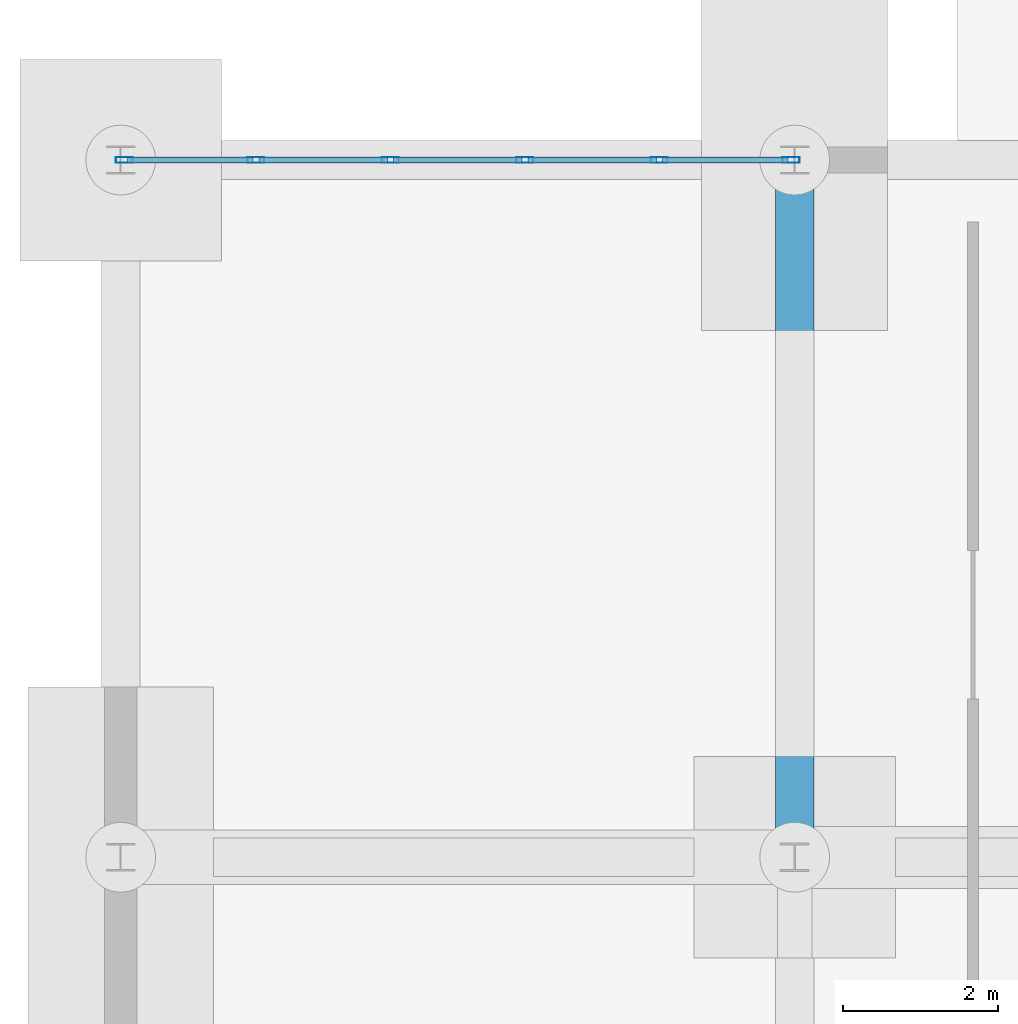
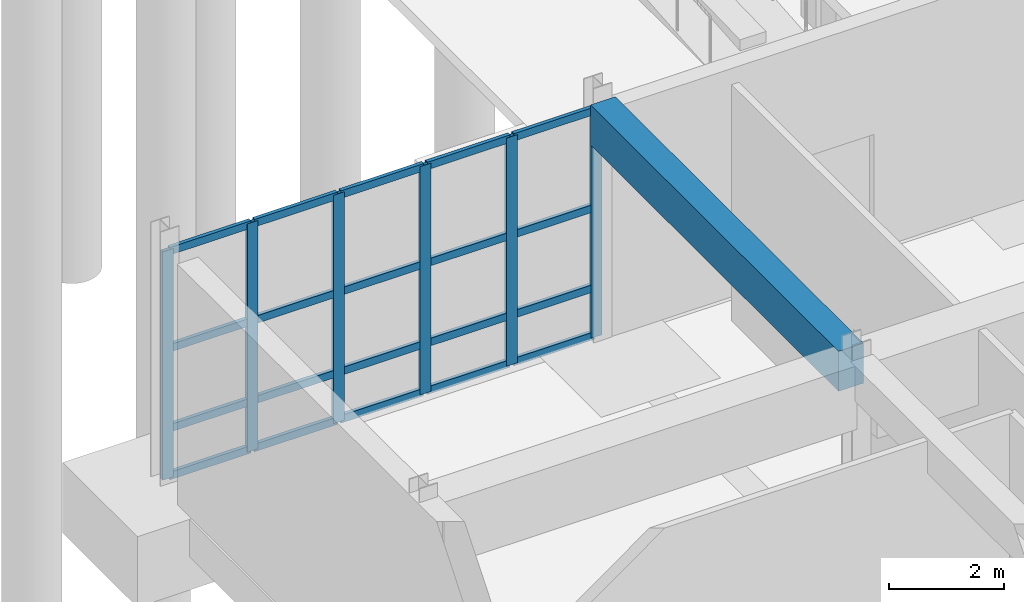
# One storey, part 16 of 69: 26 members, 1 beam, 1 element without a shape of its own.
"""IFC4 building model written with IfcOpenShell, lengths in metres."""

from ifc_helpers import new_model, si_unit, direction, frame, origin, origin_2d, place, context, subcontext, project, spatial, rectangle, hollow_rectangle, extrude, material, layer, layer_set, material_profile, profile_set, type_object, element, aggregate, save


model = new_model("IFC4")

# Units and contexts
model_context = context("Model", 3, precision=1e-05, world=origin(), true_north=direction((0.0, 1.0)))
body_context = subcontext(model_context, "Body", "Model", "MODEL_VIEW")
ifc_project = project(units=[si_unit("LENGTHUNIT", "METRE"), si_unit("AREAUNIT", "SQUARE_METRE"), si_unit("VOLUMEUNIT", "CUBIC_METRE"), si_unit("PLANEANGLEUNIT", "RADIAN"), si_unit("MASSUNIT", "GRAM", prefix="KILO")], contexts=[model_context])

# Site, building, storey
site_placement = place(None, origin())
site = spatial("IfcSite", under=ifc_project, at=site_placement, CompositionType="ELEMENT")
building_placement = place(site_placement, origin())
building = spatial("IfcBuilding", under=site, at=building_placement, Name="Vaelkrest Opera House", CompositionType="ELEMENT")
storey_placement = place(building_placement, frame((0.0, 0.0, -5.39990234375)))
storey = spatial("IfcBuildingStorey", under=building, at=storey_placement, Name="B1", CompositionType="ELEMENT", Elevation=-5.39990234375)

# Beam
ifc_material_1 = material(Name="Concrete C50/60", Category="concrete")
ifc_material_profile_1 = material_profile(ifc_material_1, rectangle(XDim=0.5, YDim=0.85009765625, at=origin_2d()), Name="RCB500X850")
ifc_profile_set_1 = profile_set([ifc_material_profile_1], Name="Concrete C50/60")
beam_type = type_object("IfcBeamType", Name="B03", PredefinedType="BEAM", material=ifc_profile_set_1)
beam_placement = place(storey_placement, frame((-77.699951171875, -46.614013671875, 4.65478515625), z_axis=(0.0, 1.0, 0.0), x_axis=(-1.0, 0.0, 0.0)))
element("IfcBeam", 1, at=beam_placement, inside=storey, type_object=beam_type, Name="Beam BM-V5-B1-2460", PredefinedType="BEAM", context=body_context, shape_type="SweptSolid", body=[
    extrude(rectangle(XDim=0.5, YDim=0.85009765625, at=origin_2d()), origin(), (0.0, 0.0, 1.0), 8.634033203125),
])

# Curtain wall, members
ifc_material_2 = material(Name="Dark bronze anodized aluminium", Category="aluminium")
ifc_layer = layer(ifc_material_2, 0.199951171875)
ifc_layer_set = layer_set([ifc_layer], Name="Dark bronze anodized aluminium")
curtain_wall_type = type_object("IfcCurtainWallType", Name="CW03", PredefinedType="NOTDEFINED", material=ifc_layer_set)
curtain_wall_placement = place(storey_placement, origin())
curtain_wall = element("IfcCurtainWall", 2, at=curtain_wall_placement, inside=storey, type_object=curtain_wall_type, Name="Curtain wall CW-B1-173", PredefinedType="NOTDEFINED")
ifc_material_profile_2 = material_profile(ifc_material_2, hollow_rectangle(XDim=0.074951171875, YDim=0.219970703125, WallThickness=0.00439453125, at=origin_2d()), Name="CWM75X220")
ifc_profile_set_2 = profile_set([ifc_material_profile_2], Name="Dark bronze anodized aluminium")
member_type_1 = type_object("IfcMemberType", Name="CWM03", PredefinedType="MULLION", material=ifc_profile_set_2)
member_1_placement = place(storey_placement, frame((-86.3525390625, -37.800048828125, 0.0), z_axis=(0.0, 0.0, 1.0), x_axis=(0.0, 1.0, 0.0)))
member_1 = element("IfcMember", 3, at=member_1_placement, type_object=member_type_1, Name="CW03 mullion 1", PredefinedType="MULLION", context=body_context, shape_type="SweptSolid", body=[
    extrude(hollow_rectangle(XDim=0.074951171875, YDim=0.219970703125, WallThickness=0.00439453125, at=origin_2d()), origin(), (0.0, 0.0, 1.0), 4.849853515625),
])
member_2_placement = place(storey_placement, frame((-84.654052734375, -37.800048828125, 0.0), z_axis=(0.0, 0.0, 1.0), x_axis=(0.0, 1.0, 0.0)))
member_2 = element("IfcMember", 4, at=member_2_placement, type_object=member_type_1, Name="CW03 mullion 2", PredefinedType="MULLION", context=body_context, shape_type="SweptSolid", body=[
    extrude(hollow_rectangle(XDim=0.074951171875, YDim=0.219970703125, WallThickness=0.00439453125, at=origin_2d()), origin(), (0.0, 0.0, 1.0), 4.849853515625),
])
member_3_placement = place(storey_placement, frame((-82.91796875, -37.800048828125, 0.0), z_axis=(0.0, 0.0, 1.0), x_axis=(0.0, 1.0, 0.0)))
member_3 = element("IfcMember", 5, at=member_3_placement, type_object=member_type_1, Name="CW03 mullion 3", PredefinedType="MULLION", context=body_context, shape_type="SweptSolid", body=[
    extrude(hollow_rectangle(XDim=0.074951171875, YDim=0.219970703125, WallThickness=0.00439453125, at=origin_2d()), origin(), (0.0, 0.0, 1.0), 4.849853515625),
])
member_4_placement = place(storey_placement, frame((-81.181884765625, -37.800048828125, 0.0), z_axis=(0.0, 0.0, 1.0), x_axis=(0.0, 1.0, 0.0)))
member_4 = element("IfcMember", 6, at=member_4_placement, type_object=member_type_1, Name="CW03 mullion 4", PredefinedType="MULLION", context=body_context, shape_type="SweptSolid", body=[
    extrude(hollow_rectangle(XDim=0.074951171875, YDim=0.219970703125, WallThickness=0.00439453125, at=origin_2d()), origin(), (0.0, 0.0, 1.0), 4.849853515625),
])
member_5_placement = place(storey_placement, frame((-79.446044921875, -37.800048828125, 0.0), z_axis=(0.0, 0.0, 1.0), x_axis=(0.0, 1.0, 0.0)))
member_5 = element("IfcMember", 7, at=member_5_placement, type_object=member_type_1, Name="CW03 mullion 5", PredefinedType="MULLION", context=body_context, shape_type="SweptSolid", body=[
    extrude(hollow_rectangle(XDim=0.074951171875, YDim=0.219970703125, WallThickness=0.00439453125, at=origin_2d()), origin(), (0.0, 0.0, 1.0), 4.849853515625),
])
member_6_placement = place(storey_placement, frame((-77.74755859375, -37.800048828125, 0.0), z_axis=(0.0, 0.0, 1.0), x_axis=(0.0, 1.0, 0.0)))
member_6 = element("IfcMember", 8, at=member_6_placement, type_object=member_type_1, Name="CW03 mullion 6", PredefinedType="MULLION", context=body_context, shape_type="SweptSolid", body=[
    extrude(hollow_rectangle(XDim=0.074951171875, YDim=0.219970703125, WallThickness=0.00439453125, at=origin_2d()), origin(), (0.0, 0.0, 1.0), 4.849853515625),
])
ifc_material_profile_3 = material_profile(ifc_material_2, hollow_rectangle(XDim=0.074951171875, YDim=0.159912109375, WallThickness=0.00439453125, at=origin_2d()), Name="CWT75X160")
ifc_profile_set_3 = profile_set([ifc_material_profile_3], Name="Dark bronze anodized aluminium")
member_type_2 = type_object("IfcMemberType", Name="CWT03", PredefinedType="USERDEFINED", material=ifc_profile_set_3)
member_7_placement = place(storey_placement, frame((-86.31494140625, -37.800048828125, 0.037353515625), z_axis=(1.0, 0.0, 0.0), x_axis=(0.0, 1.0, 0.0)))
member_7 = element("IfcMember", 9, at=member_7_placement, type_object=member_type_2, Name="CW03 transom 1.1", ObjectType="TRANSOM", PredefinedType="USERDEFINED", context=body_context, shape_type="SweptSolid", body=[
    extrude(hollow_rectangle(XDim=0.074951171875, YDim=0.159912109375, WallThickness=0.00439453125, at=origin_2d()), origin(), (0.0, 0.0, 1.0), 1.62353515625),
])
member_8_placement = place(storey_placement, frame((-86.31494140625, -37.800048828125, 1.0498046875), z_axis=(1.0, 0.0, 0.0), x_axis=(0.0, 1.0, 0.0)))
member_8 = element("IfcMember", 10, at=member_8_placement, type_object=member_type_2, Name="CW03 transom 1.2", ObjectType="TRANSOM", PredefinedType="USERDEFINED", context=body_context, shape_type="SweptSolid", body=[
    extrude(hollow_rectangle(XDim=0.074951171875, YDim=0.159912109375, WallThickness=0.00439453125, at=origin_2d()), origin(), (0.0, 0.0, 1.0), 1.62353515625),
])
member_9_placement = place(storey_placement, frame((-86.31494140625, -37.800048828125, 2.75), z_axis=(1.0, 0.0, 0.0), x_axis=(0.0, 1.0, 0.0)))
member_9 = element("IfcMember", 11, at=member_9_placement, type_object=member_type_2, Name="CW03 transom 1.3", ObjectType="TRANSOM", PredefinedType="USERDEFINED", context=body_context, shape_type="SweptSolid", body=[
    extrude(hollow_rectangle(XDim=0.074951171875, YDim=0.159912109375, WallThickness=0.00439453125, at=origin_2d()), origin(), (0.0, 0.0, 1.0), 1.62353515625),
])
member_10_placement = place(storey_placement, frame((-86.31494140625, -37.800048828125, 4.8125), z_axis=(1.0, 0.0, 0.0), x_axis=(0.0, 1.0, 0.0)))
member_10 = element("IfcMember", 12, at=member_10_placement, type_object=member_type_2, Name="CW03 transom 1.4", ObjectType="TRANSOM", PredefinedType="USERDEFINED", context=body_context, shape_type="SweptSolid", body=[
    extrude(hollow_rectangle(XDim=0.074951171875, YDim=0.159912109375, WallThickness=0.00439453125, at=origin_2d()), origin(), (0.0, 0.0, 1.0), 1.62353515625),
])
member_11_placement = place(storey_placement, frame((-84.616455078125, -37.800048828125, 0.037353515625), z_axis=(1.0, 0.0, 0.0), x_axis=(0.0, 1.0, 0.0)))
member_11 = element("IfcMember", 13, at=member_11_placement, type_object=member_type_2, Name="CW03 transom 2.1", ObjectType="TRANSOM", PredefinedType="USERDEFINED", context=body_context, shape_type="SweptSolid", body=[
    extrude(hollow_rectangle(XDim=0.074951171875, YDim=0.159912109375, WallThickness=0.00439453125, at=origin_2d()), origin(), (0.0, 0.0, 1.0), 1.660888671875),
])
member_12_placement = place(storey_placement, frame((-84.616455078125, -37.800048828125, 1.0498046875), z_axis=(1.0, 0.0, 0.0), x_axis=(0.0, 1.0, 0.0)))
member_12 = element("IfcMember", 14, at=member_12_placement, type_object=member_type_2, Name="CW03 transom 2.2", ObjectType="TRANSOM", PredefinedType="USERDEFINED", context=body_context, shape_type="SweptSolid", body=[
    extrude(hollow_rectangle(XDim=0.074951171875, YDim=0.159912109375, WallThickness=0.00439453125, at=origin_2d()), origin(), (0.0, 0.0, 1.0), 1.660888671875),
])
member_13_placement = place(storey_placement, frame((-84.616455078125, -37.800048828125, 2.75), z_axis=(1.0, 0.0, 0.0), x_axis=(0.0, 1.0, 0.0)))
member_13 = element("IfcMember", 15, at=member_13_placement, type_object=member_type_2, Name="CW03 transom 2.3", ObjectType="TRANSOM", PredefinedType="USERDEFINED", context=body_context, shape_type="SweptSolid", body=[
    extrude(hollow_rectangle(XDim=0.074951171875, YDim=0.159912109375, WallThickness=0.00439453125, at=origin_2d()), origin(), (0.0, 0.0, 1.0), 1.660888671875),
])
member_14_placement = place(storey_placement, frame((-84.616455078125, -37.800048828125, 4.8125), z_axis=(1.0, 0.0, 0.0), x_axis=(0.0, 1.0, 0.0)))
member_14 = element("IfcMember", 16, at=member_14_placement, type_object=member_type_2, Name="CW03 transom 2.4", ObjectType="TRANSOM", PredefinedType="USERDEFINED", context=body_context, shape_type="SweptSolid", body=[
    extrude(hollow_rectangle(XDim=0.074951171875, YDim=0.159912109375, WallThickness=0.00439453125, at=origin_2d()), origin(), (0.0, 0.0, 1.0), 1.660888671875),
])
member_15_placement = place(storey_placement, frame((-82.880615234375, -37.800048828125, 0.037353515625), z_axis=(1.0, 0.0, 0.0), x_axis=(0.0, 1.0, 0.0)))
member_15 = element("IfcMember", 17, at=member_15_placement, type_object=member_type_2, Name="CW03 transom 3.1", ObjectType="TRANSOM", PredefinedType="USERDEFINED", context=body_context, shape_type="SweptSolid", body=[
    extrude(hollow_rectangle(XDim=0.074951171875, YDim=0.159912109375, WallThickness=0.00439453125, at=origin_2d()), origin(), (0.0, 0.0, 1.0), 1.6611328125),
])
member_16_placement = place(storey_placement, frame((-82.880615234375, -37.800048828125, 1.0498046875), z_axis=(1.0, 0.0, 0.0), x_axis=(0.0, 1.0, 0.0)))
member_16 = element("IfcMember", 18, at=member_16_placement, type_object=member_type_2, Name="CW03 transom 3.2", ObjectType="TRANSOM", PredefinedType="USERDEFINED", context=body_context, shape_type="SweptSolid", body=[
    extrude(hollow_rectangle(XDim=0.074951171875, YDim=0.159912109375, WallThickness=0.00439453125, at=origin_2d()), origin(), (0.0, 0.0, 1.0), 1.6611328125),
])
member_17_placement = place(storey_placement, frame((-82.880615234375, -37.800048828125, 2.75), z_axis=(1.0, 0.0, 0.0), x_axis=(0.0, 1.0, 0.0)))
member_17 = element("IfcMember", 19, at=member_17_placement, type_object=member_type_2, Name="CW03 transom 3.3", ObjectType="TRANSOM", PredefinedType="USERDEFINED", context=body_context, shape_type="SweptSolid", body=[
    extrude(hollow_rectangle(XDim=0.074951171875, YDim=0.159912109375, WallThickness=0.00439453125, at=origin_2d()), origin(), (0.0, 0.0, 1.0), 1.6611328125),
])
member_18_placement = place(storey_placement, frame((-82.880615234375, -37.800048828125, 4.8125), z_axis=(1.0, 0.0, 0.0), x_axis=(0.0, 1.0, 0.0)))
member_18 = element("IfcMember", 20, at=member_18_placement, type_object=member_type_2, Name="CW03 transom 3.4", ObjectType="TRANSOM", PredefinedType="USERDEFINED", context=body_context, shape_type="SweptSolid", body=[
    extrude(hollow_rectangle(XDim=0.074951171875, YDim=0.159912109375, WallThickness=0.00439453125, at=origin_2d()), origin(), (0.0, 0.0, 1.0), 1.6611328125),
])
member_19_placement = place(storey_placement, frame((-81.14453125, -37.800048828125, 0.037353515625), z_axis=(1.0, 0.0, 0.0), x_axis=(0.0, 1.0, 0.0)))
member_19 = element("IfcMember", 21, at=member_19_placement, type_object=member_type_2, Name="CW03 transom 4.1", ObjectType="TRANSOM", PredefinedType="USERDEFINED", context=body_context, shape_type="SweptSolid", body=[
    extrude(hollow_rectangle(XDim=0.074951171875, YDim=0.159912109375, WallThickness=0.00439453125, at=origin_2d()), origin(), (0.0, 0.0, 1.0), 1.6611328125),
])
member_20_placement = place(storey_placement, frame((-81.14453125, -37.800048828125, 1.0498046875), z_axis=(1.0, 0.0, 0.0), x_axis=(0.0, 1.0, 0.0)))
member_20 = element("IfcMember", 22, at=member_20_placement, type_object=member_type_2, Name="CW03 transom 4.2", ObjectType="TRANSOM", PredefinedType="USERDEFINED", context=body_context, shape_type="SweptSolid", body=[
    extrude(hollow_rectangle(XDim=0.074951171875, YDim=0.159912109375, WallThickness=0.00439453125, at=origin_2d()), origin(), (0.0, 0.0, 1.0), 1.6611328125),
])
member_21_placement = place(storey_placement, frame((-81.14453125, -37.800048828125, 2.75), z_axis=(1.0, 0.0, 0.0), x_axis=(0.0, 1.0, 0.0)))
member_21 = element("IfcMember", 23, at=member_21_placement, type_object=member_type_2, Name="CW03 transom 4.3", ObjectType="TRANSOM", PredefinedType="USERDEFINED", context=body_context, shape_type="SweptSolid", body=[
    extrude(hollow_rectangle(XDim=0.074951171875, YDim=0.159912109375, WallThickness=0.00439453125, at=origin_2d()), origin(), (0.0, 0.0, 1.0), 1.6611328125),
])
member_22_placement = place(storey_placement, frame((-81.14453125, -37.800048828125, 4.8125), z_axis=(1.0, 0.0, 0.0), x_axis=(0.0, 1.0, 0.0)))
member_22 = element("IfcMember", 24, at=member_22_placement, type_object=member_type_2, Name="CW03 transom 4.4", ObjectType="TRANSOM", PredefinedType="USERDEFINED", context=body_context, shape_type="SweptSolid", body=[
    extrude(hollow_rectangle(XDim=0.074951171875, YDim=0.159912109375, WallThickness=0.00439453125, at=origin_2d()), origin(), (0.0, 0.0, 1.0), 1.6611328125),
])
member_23_placement = place(storey_placement, frame((-79.408447265625, -37.800048828125, 0.037353515625), z_axis=(1.0, 0.0, 0.0), x_axis=(0.0, 1.0, 0.0)))
member_23 = element("IfcMember", 25, at=member_23_placement, type_object=member_type_2, Name="CW03 transom 5.1", ObjectType="TRANSOM", PredefinedType="USERDEFINED", context=body_context, shape_type="SweptSolid", body=[
    extrude(hollow_rectangle(XDim=0.074951171875, YDim=0.159912109375, WallThickness=0.00439453125, at=origin_2d()), origin(), (0.0, 0.0, 1.0), 1.62353515625),
])
member_24_placement = place(storey_placement, frame((-79.408447265625, -37.800048828125, 1.0498046875), z_axis=(1.0, 0.0, 0.0), x_axis=(0.0, 1.0, 0.0)))
member_24 = element("IfcMember", 26, at=member_24_placement, type_object=member_type_2, Name="CW03 transom 5.2", ObjectType="TRANSOM", PredefinedType="USERDEFINED", context=body_context, shape_type="SweptSolid", body=[
    extrude(hollow_rectangle(XDim=0.074951171875, YDim=0.159912109375, WallThickness=0.00439453125, at=origin_2d()), origin(), (0.0, 0.0, 1.0), 1.62353515625),
])
member_25_placement = place(storey_placement, frame((-79.408447265625, -37.800048828125, 2.75), z_axis=(1.0, 0.0, 0.0), x_axis=(0.0, 1.0, 0.0)))
member_25 = element("IfcMember", 27, at=member_25_placement, type_object=member_type_2, Name="CW03 transom 5.3", ObjectType="TRANSOM", PredefinedType="USERDEFINED", context=body_context, shape_type="SweptSolid", body=[
    extrude(hollow_rectangle(XDim=0.074951171875, YDim=0.159912109375, WallThickness=0.00439453125, at=origin_2d()), origin(), (0.0, 0.0, 1.0), 1.62353515625),
])
member_26_placement = place(storey_placement, frame((-79.408447265625, -37.800048828125, 4.8125), z_axis=(1.0, 0.0, 0.0), x_axis=(0.0, 1.0, 0.0)))
member_26 = element("IfcMember", 28, at=member_26_placement, type_object=member_type_2, Name="CW03 transom 5.4", ObjectType="TRANSOM", PredefinedType="USERDEFINED", context=body_context, shape_type="SweptSolid", body=[
    extrude(hollow_rectangle(XDim=0.074951171875, YDim=0.159912109375, WallThickness=0.00439453125, at=origin_2d()), origin(), (0.0, 0.0, 1.0), 1.62353515625),
])
aggregate(curtain_wall, [member_1, member_2, member_3, member_4, member_5, member_6, member_7, member_8, member_9, member_10, member_11, member_12, member_13, member_14, member_15, member_16, member_17, member_18, member_19, member_20, member_21, member_22, member_23, member_24, member_25, member_26])

save(model, "model.ifc")
